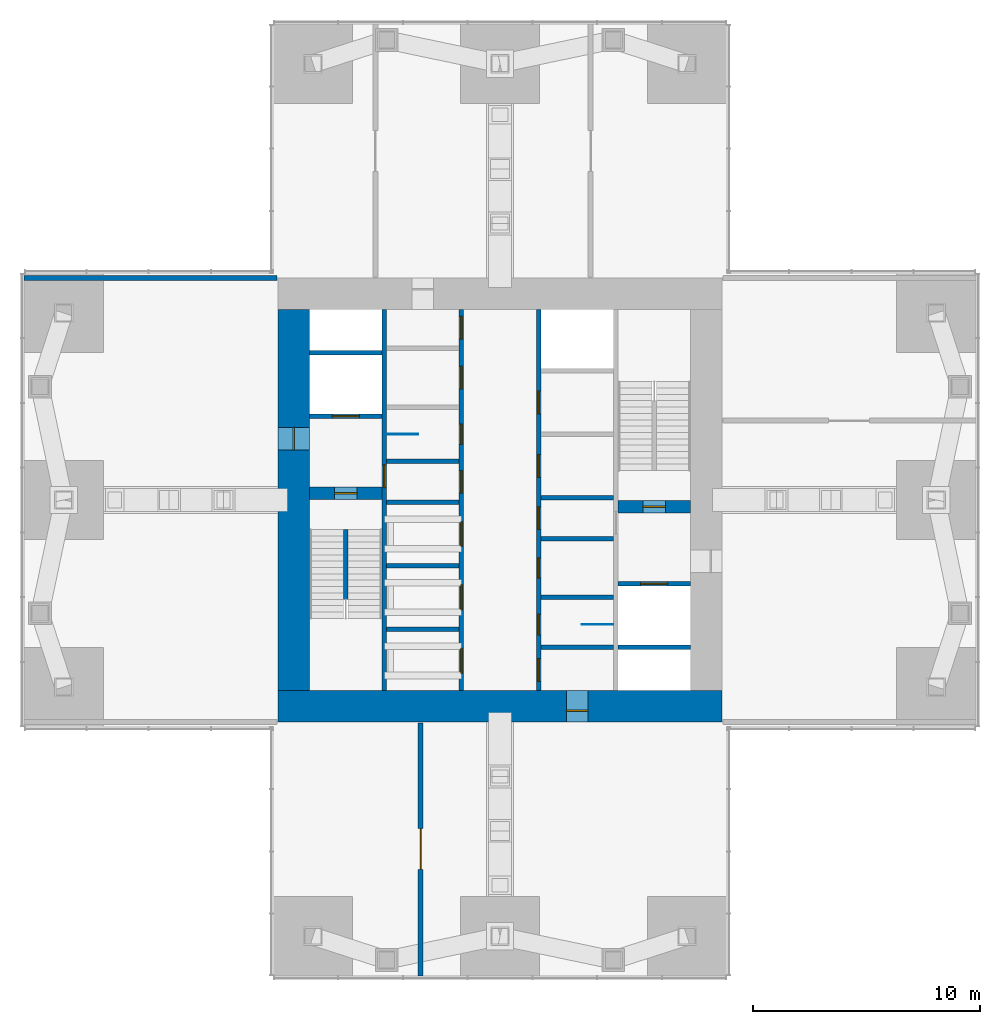
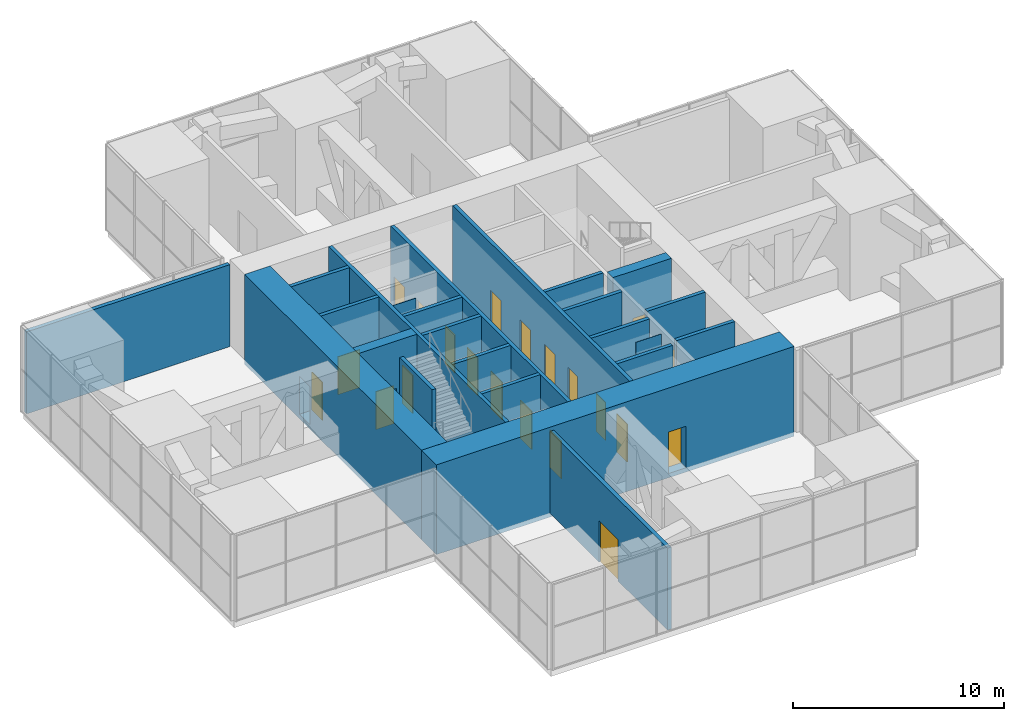
# One storey, part 10 of 12: 24 walls, 21 doors, 21 openings.
"""IFC4 building model written with IfcOpenShell, lengths in metres."""

from ifc_helpers import new_model, si_unit, direction, frame, frame_2d, origin, place, context, subcontext, project, spatial, rectangle, extrude, material, layer, layer_set, type_object, element, fill, save


model = new_model("IFC4")

# Units and contexts
model_context = context("Model", 3, precision=1e-05, world=origin(), true_north=direction((0.0, 1.0)))
body_context = subcontext(model_context, "Body", "Model", "MODEL_VIEW")
ifc_project = project(units=[si_unit("LENGTHUNIT", "METRE"), si_unit("AREAUNIT", "SQUARE_METRE"), si_unit("VOLUMEUNIT", "CUBIC_METRE"), si_unit("PLANEANGLEUNIT", "RADIAN"), si_unit("MASSUNIT", "GRAM", prefix="KILO")], contexts=[model_context])

# Site, building, storey
site_placement = place(None, origin())
site = spatial("IfcSite", under=ifc_project, at=site_placement, CompositionType="ELEMENT")
building_placement = place(site_placement, origin())
building = spatial("IfcBuilding", under=site, at=building_placement, Name="Svetlomir Tower", CompositionType="ELEMENT")
storey_placement = place(building_placement, frame((0.0, 0.0, 234.5)))
storey = spatial("IfcBuildingStorey", under=building, at=storey_placement, Name="L56", CompositionType="ELEMENT", Elevation=234.5)

# Walls
ifc_material_1 = material(Name="Gypsum board on twin steel studs", Category="steel")
ifc_layer_1 = layer(ifc_material_1, 0.199951171875)
ifc_layer_set_1 = layer_set([ifc_layer_1], Name="Gypsum board on twin steel studs")
wall_type_1 = type_object("IfcWallType", Name="ACOUSTIC PARTITION 200", PredefinedType="PARTITIONING", material=ifc_layer_set_1)
wall_1_placement = place(storey_placement, frame((22.800048828125, 14.5, 0.0), z_axis=(0.0, 0.0, 1.0), x_axis=(1.0, 0.0, 0.0)))
element("IfcWall", 1, at=wall_1_placement, inside=storey, type_object=wall_type_1, Name="Core south corridor wall L56", PredefinedType="PARTITIONING", context=body_context, shape_type="SweptSolid", body=[
    extrude(rectangle(XDim=3.199951171875, YDim=0.199951171875, at=frame_2d((1.60009765625, 0.0))), origin(), (0.0, 0.0, 1.0), 4.75),
])
ifc_material_2 = material(Name="Dense concrete blockwork", Category="masonry")
ifc_layer_2 = layer(ifc_material_2, 0.215087890625)
ifc_layer_set_2 = layer_set([ifc_layer_2], Name="Dense concrete blockwork")
wall_type_2 = type_object("IfcWallType", Name="BLOCKWORK WALL 215", PredefinedType="PARTITIONING", material=ifc_layer_set_2)
wall_2_placement = place(storey_placement, frame((0.0, 30.800048828125, 0.0), z_axis=(0.0, 0.0, 1.0), x_axis=(1.0, 0.0, 0.0)))
element("IfcWall", 2, at=wall_2_placement, inside=storey, type_object=wall_type_2, Name="Refuge area wall L56", PredefinedType="PARTITIONING", context=body_context, shape_type="SweptSolid", body=[
    extrude(rectangle(XDim=11.14990234375, YDim=0.215087890625, at=frame_2d((5.574951171875, 0.0))), origin(), (0.0, 0.0, 1.0), 4.75),
])

# Wall, opening, door
wall_3_placement = place(storey_placement, frame((17.5, 0.0, 0.0), z_axis=(0.0, 0.0, 1.0), x_axis=(0.0, 1.0, 0.0)))
wall_3 = element("IfcWall", 3, at=wall_3_placement, inside=storey, type_object=wall_type_2, Name="Partition L56", PredefinedType="PARTITIONING", context=body_context, shape_type="SweptSolid", body=[
    extrude(rectangle(XDim=11.14990234375, YDim=0.215087890625, at=frame_2d((5.574951171875, 0.0))), origin(), (0.0, 0.0, 1.0), 4.75),
])
opening_1_placement = place(wall_3_placement, frame((4.699951171875, 0.0, 0.0)))
opening_1 = element("IfcOpeningElement", 4, at=opening_1_placement, cuts=wall_3, Name="Opening DP", PredefinedType="OPENING", context=body_context, shape_type="SweptSolid", body=[
    extrude(rectangle(XDim=1.800048828125, YDim=2.39990234375, at=frame_2d((0.89990234375, 1.199951171875))), frame((0.0, 0.11767578125, 0.0), z_axis=(0.0, -1.0, 0.0), x_axis=(1.0, 0.0, 0.0)), (0.0, 0.0, 1.0), 0.235107421875),
])
ifc_material_3 = material(Name="Steel fire door", Category="steel")
door_type_1 = type_object("IfcDoorType", Name="PLANT ROOM DOOR DP 1800x2400", OperationType="DOUBLE_DOOR_SINGLE_SWING", PredefinedType="DOOR", material=ifc_material_3)
door_1_placement = place(opening_1_placement, origin())
door_1 = element("IfcDoor", 5, at=door_1_placement, inside=storey, type_object=door_type_1, Name="Plant room - air handling west door L56", OperationType="DOUBLE_DOOR_SINGLE_SWING", OverallHeight=2.39990234375, OverallWidth=1.800048828125, PredefinedType="DOOR", context=body_context, shape_type="SweptSolid", body=[
    extrude(rectangle(XDim=1.800048828125, YDim=2.39990234375, at=frame_2d((0.89990234375, 1.199951171875))), frame((0.0, 0.02490234375, 0.0), z_axis=(0.0, -1.0, 0.0), x_axis=(1.0, 0.0, 0.0)), (0.0, 0.0, 1.0), 0.050048828125),
])
fill(opening_1, door_1)

ifc_material_4 = material(Name="Concrete C60/75", Category="concrete")
ifc_layer_3 = layer(ifc_material_4, 0.199951171875)
ifc_layer_set_3 = layer_set([ifc_layer_3], Name="Concrete C60/75")
wall_type_3 = type_object("IfcWallType", Name="CORE INNER WALL 200", PredefinedType="SHEAR", material=ifc_layer_set_3)
wall_4_placement = place(storey_placement, frame((15.89990234375, 12.60009765625, -0.25), z_axis=(0.0, 0.0, 1.0), x_axis=(0.0, 1.0, 0.0)))
wall_4 = element("IfcWall", 6, at=wall_4_placement, inside=storey, type_object=wall_type_3, Name="Core inner wall 15.9 L56", PredefinedType="SHEAR", context=body_context, shape_type="SweptSolid", body=[
    extrude(rectangle(XDim=16.7998046875, YDim=0.199951171875, at=frame_2d((8.39990234375, 0.0))), origin(), (0.0, 0.0, 1.0), 5.199951171875),
])
opening_2_placement = place(wall_4_placement, frame((8.949951171875, 0.0, 0.25)))
opening_2 = element("IfcOpeningElement", 7, at=opening_2_placement, cuts=wall_4, Name="Opening DF", PredefinedType="OPENING", context=body_context, shape_type="SweptSolid", body=[
    extrude(rectangle(XDim=1.0, YDim=2.199951171875, at=frame_2d((0.5, 1.10009765625))), frame((0.0, 0.10986328125, 0.0), z_axis=(0.0, -1.0, 0.0), x_axis=(1.0, 0.0, 0.0)), (0.0, 0.0, 1.0), 0.219970703125),
])
ifc_material_5 = material(Name="Steel fire door", Category="steel")
door_type_2 = type_object("IfcDoorType", Name="DOOR DF 1000x2200", OperationType="SINGLE_SWING_LEFT", PredefinedType="DOOR", material=ifc_material_5)
door_2_placement = place(opening_2_placement, origin())
door_2 = element("IfcDoor", 8, at=door_2_placement, inside=storey, type_object=door_type_2, Name="Core corridor west door L56", OperationType="SINGLE_SWING_LEFT", OverallHeight=2.199951171875, OverallWidth=1.0, PredefinedType="DOOR", context=body_context, shape_type="SweptSolid", body=[
    extrude(rectangle(XDim=1.0, YDim=2.199951171875, at=frame_2d((0.5, 1.10009765625))), frame((0.0, 0.02490234375, 0.0), z_axis=(0.0, -1.0, 0.0), x_axis=(1.0, 0.0, 0.0)), (0.0, 0.0, 1.0), 0.050048828125),
])
fill(opening_2, door_2)

# Wall, openings, doors
wall_5_placement = place(storey_placement, frame((19.300048828125, 12.60009765625, -0.25), z_axis=(0.0, 0.0, 1.0), x_axis=(0.0, 1.0, 0.0)))
wall_5 = element("IfcWall", 9, at=wall_5_placement, inside=storey, type_object=wall_type_3, Name="Core inner wall 19.3 L56", PredefinedType="SHEAR", context=body_context, shape_type="SweptSolid", body=[
    extrude(rectangle(XDim=16.7998046875, YDim=0.199951171875, at=frame_2d((8.39990234375, 0.0))), origin(), (0.0, 0.0, 1.0), 5.199951171875),
])
opening_3_placement = place(wall_5_placement, frame((8.699951171875, 0.0, 0.25)))
opening_3 = element("IfcOpeningElement", 10, at=opening_3_placement, cuts=wall_5, Name="Opening DC", PredefinedType="OPENING", context=body_context, shape_type="SweptSolid", body=[
    extrude(rectangle(XDim=1.0, YDim=2.199951171875, at=frame_2d((0.5, 1.10009765625))), frame((0.0, 0.10986328125, 0.0), z_axis=(0.0, -1.0, 0.0), x_axis=(1.0, 0.0, 0.0)), (0.0, 0.0, 1.0), 0.219970703125),
])
opening_4_placement = place(wall_5_placement, frame((10.85009765625, 0.0, 0.25)))
opening_4 = element("IfcOpeningElement", 11, at=opening_4_placement, cuts=wall_5, Name="Opening DW", PredefinedType="OPENING", context=body_context, shape_type="SweptSolid", body=[
    extrude(rectangle(XDim=0.89990234375, YDim=2.199951171875, at=frame_2d((0.449951171875, 1.10009765625))), frame((0.0, 0.10986328125, 0.0), z_axis=(0.0, -1.0, 0.0), x_axis=(1.0, 0.0, 0.0)), (0.0, 0.0, 1.0), 0.219970703125),
])
opening_5_placement = place(wall_5_placement, frame((13.300048828125, 0.0, 0.25)))
opening_5 = element("IfcOpeningElement", 12, at=opening_5_placement, cuts=wall_5, Name="Opening DC", PredefinedType="OPENING", context=body_context, shape_type="SweptSolid", body=[
    extrude(rectangle(XDim=1.0, YDim=2.199951171875, at=frame_2d((0.5, 1.10009765625))), frame((0.0, 0.10986328125, 0.0), z_axis=(0.0, -1.0, 0.0), x_axis=(1.0, 0.0, 0.0)), (0.0, 0.0, 1.0), 0.219970703125),
])
opening_6_placement = place(wall_5_placement, frame((15.5, 0.0, 0.25)))
opening_6 = element("IfcOpeningElement", 13, at=opening_6_placement, cuts=wall_5, Name="Opening DC", PredefinedType="OPENING", context=body_context, shape_type="SweptSolid", body=[
    extrude(rectangle(XDim=1.0, YDim=2.199951171875, at=frame_2d((0.5, 1.10009765625))), frame((0.0, 0.10986328125, 0.0), z_axis=(0.0, -1.0, 0.0), x_axis=(1.0, 0.0, 0.0)), (0.0, 0.0, 1.0), 0.219970703125),
])
opening_7_placement = place(wall_5_placement, frame((0.75, 0.0, 0.25)))
opening_7 = element("IfcOpeningElement", 14, at=opening_7_placement, cuts=wall_5, Name="Opening LD", PredefinedType="OPENING", context=body_context, shape_type="SweptSolid", body=[
    extrude(rectangle(XDim=1.10009765625, YDim=2.199951171875, at=frame_2d((0.550048828125, 1.10009765625))), frame((0.0, 0.10986328125, 0.0), z_axis=(0.0, -1.0, 0.0), x_axis=(1.0, 0.0, 0.0)), (0.0, 0.0, 1.0), 0.219970703125),
])
opening_8_placement = place(wall_5_placement, frame((3.550048828125, 0.0, 0.25)))
opening_8 = element("IfcOpeningElement", 15, at=opening_8_placement, cuts=wall_5, Name="Opening LD", PredefinedType="OPENING", context=body_context, shape_type="SweptSolid", body=[
    extrude(rectangle(XDim=1.10009765625, YDim=2.199951171875, at=frame_2d((0.550048828125, 1.10009765625))), frame((0.0, 0.10986328125, 0.0), z_axis=(0.0, -1.0, 0.0), x_axis=(1.0, 0.0, 0.0)), (0.0, 0.0, 1.0), 0.219970703125),
])
opening_9_placement = place(wall_5_placement, frame((6.35009765625, 0.0, 0.25)))
opening_9 = element("IfcOpeningElement", 16, at=opening_9_placement, cuts=wall_5, Name="Opening LD", PredefinedType="OPENING", context=body_context, shape_type="SweptSolid", body=[
    extrude(rectangle(XDim=1.10009765625, YDim=2.199951171875, at=frame_2d((0.550048828125, 1.10009765625))), frame((0.0, 0.10986328125, 0.0), z_axis=(0.0, -1.0, 0.0), x_axis=(1.0, 0.0, 0.0)), (0.0, 0.0, 1.0), 0.219970703125),
])
ifc_material_6 = material(Name="Timber fire door", Category="wood")
door_type_3 = type_object("IfcDoorType", Name="DOOR DC 1000x2200", OperationType="SINGLE_SWING_LEFT", PredefinedType="DOOR", material=ifc_material_6)
door_3_placement = place(opening_3_placement, origin())
door_3 = element("IfcDoor", 17, at=door_3_placement, inside=storey, type_object=door_type_3, Name="Core corridor west lobby door L56", OperationType="SINGLE_SWING_RIGHT", OverallHeight=2.199951171875, OverallWidth=1.0, PredefinedType="DOOR", context=body_context, shape_type="SweptSolid", body=[
    extrude(rectangle(XDim=1.0, YDim=2.199951171875, at=frame_2d((0.5, 1.10009765625))), frame((0.0, 0.02490234375, 0.0), z_axis=(0.0, -1.0, 0.0), x_axis=(1.0, 0.0, 0.0)), (0.0, 0.0, 1.0), 0.050048828125),
])
fill(opening_3, door_3)
door_4_placement = place(opening_5_placement, origin())
door_4 = element("IfcDoor", 18, at=door_4_placement, inside=storey, type_object=door_type_3, Name="Accessible WC door L56", OperationType="SINGLE_SWING_LEFT", OverallHeight=2.199951171875, OverallWidth=1.0, PredefinedType="DOOR", context=body_context, shape_type="SweptSolid", body=[
    extrude(rectangle(XDim=1.0, YDim=2.199951171875, at=frame_2d((0.5, 1.10009765625))), frame((0.0, 0.02490234375, 0.0), z_axis=(0.0, -1.0, 0.0), x_axis=(1.0, 0.0, 0.0)), (0.0, 0.0, 1.0), 0.050048828125),
])
fill(opening_5, door_4)
door_5_placement = place(opening_6_placement, origin())
door_5 = element("IfcDoor", 19, at=door_5_placement, inside=storey, type_object=door_type_3, Name="Core north corridor lobby door L56", OperationType="SINGLE_SWING_RIGHT", OverallHeight=2.199951171875, OverallWidth=1.0, PredefinedType="DOOR", context=body_context, shape_type="SweptSolid", body=[
    extrude(rectangle(XDim=1.0, YDim=2.199951171875, at=frame_2d((0.5, 1.10009765625))), frame((0.0, 0.02490234375, 0.0), z_axis=(0.0, -1.0, 0.0), x_axis=(1.0, 0.0, 0.0)), (0.0, 0.0, 1.0), 0.050048828125),
])
fill(opening_6, door_5)
ifc_material_7 = material(Name="Timber fire door", Category="wood")
door_type_4 = type_object("IfcDoorType", Name="DOOR DW 900x2200", OperationType="SINGLE_SWING_LEFT", PredefinedType="DOOR", material=ifc_material_7)
door_6_placement = place(opening_4_placement, origin())
door_6 = element("IfcDoor", 20, at=door_6_placement, inside=storey, type_object=door_type_4, Name="Female WC door L56", OperationType="SINGLE_SWING_RIGHT", OverallHeight=2.199951171875, OverallWidth=0.89990234375, PredefinedType="DOOR", context=body_context, shape_type="SweptSolid", body=[
    extrude(rectangle(XDim=0.89990234375, YDim=2.199951171875, at=frame_2d((0.449951171875, 1.10009765625))), frame((0.0, 0.02490234375, 0.0), z_axis=(0.0, -1.0, 0.0), x_axis=(1.0, 0.0, 0.0)), (0.0, 0.0, 1.0), 0.050048828125),
])
fill(opening_4, door_6)
ifc_material_8 = material(Name="Stainless steel landing door", Category="steel")
door_type_5 = type_object("IfcDoorType", Name="LIFT LANDING DOOR LD 1100x2200", OperationType="DOUBLE_DOOR_SLIDING", PredefinedType="DOOR", material=ifc_material_8)
door_7_placement = place(opening_7_placement, origin())
door_7 = element("IfcDoor", 21, at=door_7_placement, inside=storey, type_object=door_type_5, Name="Landing door lift LC1 L56", OperationType="DOUBLE_DOOR_SLIDING", OverallHeight=2.199951171875, OverallWidth=1.10009765625, PredefinedType="DOOR", context=body_context, shape_type="SweptSolid", body=[
    extrude(rectangle(XDim=1.10009765625, YDim=2.199951171875, at=frame_2d((0.550048828125, 1.10009765625))), frame((0.0, 0.02490234375, 0.0), z_axis=(0.0, -1.0, 0.0), x_axis=(1.0, 0.0, 0.0)), (0.0, 0.0, 1.0), 0.050048828125),
])
fill(opening_7, door_7)
door_8_placement = place(opening_8_placement, origin())
door_8 = element("IfcDoor", 22, at=door_8_placement, inside=storey, type_object=door_type_5, Name="Landing door lift LC2 L56", OperationType="DOUBLE_DOOR_SLIDING", OverallHeight=2.199951171875, OverallWidth=1.10009765625, PredefinedType="DOOR", context=body_context, shape_type="SweptSolid", body=[
    extrude(rectangle(XDim=1.10009765625, YDim=2.199951171875, at=frame_2d((0.550048828125, 1.10009765625))), frame((0.0, 0.02490234375, 0.0), z_axis=(0.0, -1.0, 0.0), x_axis=(1.0, 0.0, 0.0)), (0.0, 0.0, 1.0), 0.050048828125),
])
fill(opening_8, door_8)
door_9_placement = place(opening_9_placement, origin())
door_9 = element("IfcDoor", 23, at=door_9_placement, inside=storey, type_object=door_type_5, Name="Landing door lift LC3 L56", OperationType="DOUBLE_DOOR_SLIDING", OverallHeight=2.199951171875, OverallWidth=1.10009765625, PredefinedType="DOOR", context=body_context, shape_type="SweptSolid", body=[
    extrude(rectangle(XDim=1.10009765625, YDim=2.199951171875, at=frame_2d((0.550048828125, 1.10009765625))), frame((0.0, 0.02490234375, 0.0), z_axis=(0.0, -1.0, 0.0), x_axis=(1.0, 0.0, 0.0)), (0.0, 0.0, 1.0), 0.050048828125),
])
fill(opening_9, door_9)

wall_6_placement = place(storey_placement, frame((22.699951171875, 12.60009765625, -0.25), z_axis=(0.0, 0.0, 1.0), x_axis=(0.0, 1.0, 0.0)))
wall_6 = element("IfcWall", 24, at=wall_6_placement, inside=storey, type_object=wall_type_3, Name="Core inner wall 22.7 L56", PredefinedType="SHEAR", context=body_context, shape_type="SweptSolid", body=[
    extrude(rectangle(XDim=16.7998046875, YDim=0.199951171875, at=frame_2d((8.39990234375, 0.0))), origin(), (0.0, 0.0, 1.0), 5.199951171875),
])
opening_10_placement = place(wall_6_placement, frame((0.39990234375, 0.0, 0.25)))
opening_10 = element("IfcOpeningElement", 25, at=opening_10_placement, cuts=wall_6, Name="Opening DC", PredefinedType="OPENING", context=body_context, shape_type="SweptSolid", body=[
    extrude(rectangle(XDim=1.0, YDim=2.199951171875, at=frame_2d((0.5, 1.10009765625))), frame((0.0, 0.10986328125, 0.0), z_axis=(0.0, -1.0, 0.0), x_axis=(1.0, 0.0, 0.0)), (0.0, 0.0, 1.0), 0.219970703125),
])
opening_11_placement = place(wall_6_placement, frame((7.10009765625, 0.0, 0.25)))
opening_11 = element("IfcOpeningElement", 26, at=opening_11_placement, cuts=wall_6, Name="Opening DC", PredefinedType="OPENING", context=body_context, shape_type="SweptSolid", body=[
    extrude(rectangle(XDim=1.0, YDim=2.199951171875, at=frame_2d((0.5, 1.10009765625))), frame((0.0, 0.10986328125, 0.0), z_axis=(0.0, -1.0, 0.0), x_axis=(1.0, 0.0, 0.0)), (0.0, 0.0, 1.0), 0.219970703125),
])
opening_12_placement = place(wall_6_placement, frame((2.449951171875, 0.0, 0.25)))
opening_12 = element("IfcOpeningElement", 27, at=opening_12_placement, cuts=wall_6, Name="Opening DW", PredefinedType="OPENING", context=body_context, shape_type="SweptSolid", body=[
    extrude(rectangle(XDim=0.89990234375, YDim=2.199951171875, at=frame_2d((0.449951171875, 1.10009765625))), frame((0.0, 0.10986328125, 0.0), z_axis=(0.0, -1.0, 0.0), x_axis=(1.0, 0.0, 0.0)), (0.0, 0.0, 1.0), 0.219970703125),
])
opening_13_placement = place(wall_6_placement, frame((4.949951171875, 0.0, 0.25)))
opening_13 = element("IfcOpeningElement", 28, at=opening_13_placement, cuts=wall_6, Name="Opening DW", PredefinedType="OPENING", context=body_context, shape_type="SweptSolid", body=[
    extrude(rectangle(XDim=0.89990234375, YDim=2.199951171875, at=frame_2d((0.449951171875, 1.10009765625))), frame((0.0, 0.10986328125, 0.0), z_axis=(0.0, -1.0, 0.0), x_axis=(1.0, 0.0, 0.0)), (0.0, 0.0, 1.0), 0.219970703125),
])
opening_14_placement = place(wall_6_placement, frame((9.39990234375, 0.0, 0.25)))
opening_14 = element("IfcOpeningElement", 29, at=opening_14_placement, cuts=wall_6, Name="Opening DC", PredefinedType="OPENING", context=body_context, shape_type="SweptSolid", body=[
    extrude(rectangle(XDim=1.0, YDim=2.199951171875, at=frame_2d((0.5, 1.10009765625))), frame((0.0, 0.10986328125, 0.0), z_axis=(0.0, -1.0, 0.0), x_axis=(1.0, 0.0, 0.0)), (0.0, 0.0, 1.0), 0.219970703125),
])
opening_15_placement = place(wall_6_placement, frame((12.199951171875, 0.0, 0.25)))
opening_15 = element("IfcOpeningElement", 30, at=opening_15_placement, cuts=wall_6, Name="Opening DC", PredefinedType="OPENING", context=body_context, shape_type="SweptSolid", body=[
    extrude(rectangle(XDim=1.0, YDim=2.199951171875, at=frame_2d((0.5, 1.10009765625))), frame((0.0, 0.10986328125, 0.0), z_axis=(0.0, -1.0, 0.0), x_axis=(1.0, 0.0, 0.0)), (0.0, 0.0, 1.0), 0.219970703125),
])
door_10_placement = place(opening_10_placement, origin())
door_10 = element("IfcDoor", 31, at=door_10_placement, inside=storey, type_object=door_type_3, Name="Core south corridor lobby door L56", OperationType="SINGLE_SWING_LEFT", OverallHeight=2.199951171875, OverallWidth=1.0, PredefinedType="DOOR", context=body_context, shape_type="SweptSolid", body=[
    extrude(rectangle(XDim=1.0, YDim=2.199951171875, at=frame_2d((0.5, 1.10009765625))), frame((0.0, 0.02490234375, 0.0), z_axis=(0.0, -1.0, 0.0), x_axis=(1.0, 0.0, 0.0)), (0.0, 0.0, 1.0), 0.050048828125),
])
fill(opening_10, door_10)
door_11_placement = place(opening_11_placement, origin())
door_11 = element("IfcDoor", 32, at=door_11_placement, inside=storey, type_object=door_type_3, Name="Core corridor east lobby door L56", OperationType="SINGLE_SWING_LEFT", OverallHeight=2.199951171875, OverallWidth=1.0, PredefinedType="DOOR", context=body_context, shape_type="SweptSolid", body=[
    extrude(rectangle(XDim=1.0, YDim=2.199951171875, at=frame_2d((0.5, 1.10009765625))), frame((0.0, 0.02490234375, 0.0), z_axis=(0.0, -1.0, 0.0), x_axis=(1.0, 0.0, 0.0)), (0.0, 0.0, 1.0), 0.050048828125),
])
fill(opening_11, door_11)
door_12_placement = place(opening_14_placement, origin())
door_12 = element("IfcDoor", 33, at=door_12_placement, inside=storey, type_object=door_type_3, Name="Converted shaft BANK-E1 room door L56", OperationType="SINGLE_SWING_LEFT", OverallHeight=2.199951171875, OverallWidth=1.0, PredefinedType="DOOR", context=body_context, shape_type="SweptSolid", body=[
    extrude(rectangle(XDim=1.0, YDim=2.199951171875, at=frame_2d((0.5, 1.10009765625))), frame((0.0, 0.02490234375, 0.0), z_axis=(0.0, -1.0, 0.0), x_axis=(1.0, 0.0, 0.0)), (0.0, 0.0, 1.0), 0.050048828125),
])
fill(opening_14, door_12)
door_13_placement = place(opening_15_placement, origin())
door_13 = element("IfcDoor", 34, at=door_13_placement, inside=storey, type_object=door_type_3, Name="Converted shaft BANK-E2 room door L56", OperationType="SINGLE_SWING_RIGHT", OverallHeight=2.199951171875, OverallWidth=1.0, PredefinedType="DOOR", context=body_context, shape_type="SweptSolid", body=[
    extrude(rectangle(XDim=1.0, YDim=2.199951171875, at=frame_2d((0.5, 1.10009765625))), frame((0.0, 0.02490234375, 0.0), z_axis=(0.0, -1.0, 0.0), x_axis=(1.0, 0.0, 0.0)), (0.0, 0.0, 1.0), 0.050048828125),
])
fill(opening_15, door_13)
door_14_placement = place(opening_12_placement, origin())
door_14 = element("IfcDoor", 35, at=door_14_placement, inside=storey, type_object=door_type_4, Name="Male WC door L56", OperationType="SINGLE_SWING_LEFT", OverallHeight=2.199951171875, OverallWidth=0.89990234375, PredefinedType="DOOR", context=body_context, shape_type="SweptSolid", body=[
    extrude(rectangle(XDim=0.89990234375, YDim=2.199951171875, at=frame_2d((0.449951171875, 1.10009765625))), frame((0.0, 0.02490234375, 0.0), z_axis=(0.0, -1.0, 0.0), x_axis=(1.0, 0.0, 0.0)), (0.0, 0.0, 1.0), 0.050048828125),
])
fill(opening_12, door_14)
door_15_placement = place(opening_13_placement, origin())
door_15 = element("IfcDoor", 36, at=door_15_placement, inside=storey, type_object=door_type_4, Name="Comms room door L56", OperationType="SINGLE_SWING_RIGHT", OverallHeight=2.199951171875, OverallWidth=0.89990234375, PredefinedType="DOOR", context=body_context, shape_type="SweptSolid", body=[
    extrude(rectangle(XDim=0.89990234375, YDim=2.199951171875, at=frame_2d((0.449951171875, 1.10009765625))), frame((0.0, 0.02490234375, 0.0), z_axis=(0.0, -1.0, 0.0), x_axis=(1.0, 0.0, 0.0)), (0.0, 0.0, 1.0), 0.050048828125),
])
fill(opening_13, door_15)

# Wall, opening, door
wall_7_placement = place(storey_placement, frame((12.60009765625, 24.699951171875, -0.25), z_axis=(0.0, 0.0, 1.0), x_axis=(1.0, 0.0, 0.0)))
wall_7 = element("IfcWall", 37, at=wall_7_placement, inside=storey, type_object=wall_type_3, Name="Core inner wall 12.6-15.8/24.7 L56", PredefinedType="SHEAR", context=body_context, shape_type="SweptSolid", body=[
    extrude(rectangle(XDim=3.199951171875, YDim=0.199951171875, at=frame_2d((1.60009765625, 0.0))), origin(), (0.0, 0.0, 1.0), 5.199951171875),
])
opening_16_placement = place(wall_7_placement, frame((1.0, 0.0, 0.25)))
opening_16 = element("IfcOpeningElement", 38, at=opening_16_placement, cuts=wall_7, Name="Opening LD3", PredefinedType="OPENING", context=body_context, shape_type="SweptSolid", body=[
    extrude(rectangle(XDim=1.199951171875, YDim=2.199951171875, at=frame_2d((0.60009765625, 1.10009765625))), frame((0.0, 0.10986328125, 0.0), z_axis=(0.0, -1.0, 0.0), x_axis=(1.0, 0.0, 0.0)), (0.0, 0.0, 1.0), 0.219970703125),
])
ifc_material_9 = material(Name="Stainless steel fire-rated landing door", Category="steel")
door_type_6 = type_object("IfcDoorType", Name="FIREFIGHTING LIFT LANDING DOOR LD3 1200x2200", OperationType="DOUBLE_DOOR_SLIDING", PredefinedType="DOOR", material=ifc_material_9)
door_16_placement = place(opening_16_placement, origin())
door_16 = element("IfcDoor", 39, at=door_16_placement, inside=storey, type_object=door_type_6, Name="Landing door lift FL1 L56", OperationType="DOUBLE_DOOR_SLIDING", OverallHeight=2.199951171875, OverallWidth=1.199951171875, PredefinedType="DOOR", context=body_context, shape_type="SweptSolid", body=[
    extrude(rectangle(XDim=1.199951171875, YDim=2.199951171875, at=frame_2d((0.60009765625, 1.10009765625))), frame((0.0, 0.02490234375, 0.0), z_axis=(0.0, -1.0, 0.0), x_axis=(1.0, 0.0, 0.0)), (0.0, 0.0, 1.0), 0.050048828125),
])
fill(opening_16, door_16)

# Walls
for number, where, z_axis, x_axis, name in (
    (40, (12.60009765625, 27.5, -0.25), (0.0, 0.0, 1.0), (1.0, 0.0, 0.0), "Core inner wall 12.6-15.8/27.5 L56"),
    (41, (16.0, 15.300048828125, -0.25), (0.0, 0.0, 1.0), (1.0, 0.0, 0.0), "Core inner wall 16-19.2/15.3 L56"),
    (42, (16.0, 18.10009765625, -0.25), (0.0, 0.0, 1.0), (1.0, 0.0, 0.0), "Core inner wall 16-19.2/18.1 L56"),
    (43, (16.0, 20.89990234375, -0.25), (0.0, 0.0, 1.0), (1.0, 0.0, 0.0), "Core inner wall 16-19.2/20.9 L56"),
    (44, (16.0, 22.699951171875, -0.25), (0.0, 0.0, 1.0), (1.0, 0.0, 0.0), "Core inner wall 16-19.2/22.7 L56"),
    (45, (22.800048828125, 16.699951171875, -0.25), (0.0, 0.0, 1.0), (1.0, 0.0, 0.0), "Core inner wall 22.8-26/16.7 L56"),
    (46, (22.800048828125, 19.300048828125, -0.25), (0.0, 0.0, 1.0), (1.0, 0.0, 0.0), "Core inner wall 22.8-26/19.3 L56"),
    (47, (22.800048828125, 21.10009765625, -0.25), (0.0, 0.0, 1.0), (1.0, 0.0, 0.0), "Core inner wall 22.8-26/21.1 L56"),
    (48, (26.199951171875, 14.5, -0.25), (0.0, 0.0, 1.0), (1.0, 0.0, 0.0), "Core inner wall 26.2-29.4/14.5 L56"),
):
    element("IfcWall", number, at=place(storey_placement, frame(where, z_axis=z_axis, x_axis=x_axis)), inside=storey, type_object=wall_type_3, Name=name, PredefinedType="SHEAR", context=body_context, shape_type="SweptSolid", body=[
        extrude(rectangle(XDim=3.199951171875, YDim=0.199951171875, at=frame_2d((1.60009765625, 0.0))), origin(), (0.0, 0.0, 1.0), 5.199951171875),
    ])

# Wall, opening, door
wall_8_placement = place(storey_placement, frame((26.199951171875, 17.300048828125, -0.25), z_axis=(0.0, 0.0, 1.0), x_axis=(1.0, 0.0, 0.0)))
wall_8 = element("IfcWall", 49, at=wall_8_placement, inside=storey, type_object=wall_type_3, Name="Core inner wall 26.2-29.4/17.3 L56", PredefinedType="SHEAR", context=body_context, shape_type="SweptSolid", body=[
    extrude(rectangle(XDim=3.199951171875, YDim=0.199951171875, at=frame_2d((1.60009765625, 0.0))), origin(), (0.0, 0.0, 1.0), 5.199951171875),
])
opening_17_placement = place(wall_8_placement, frame((1.0, 0.0, 0.25)))
opening_17 = element("IfcOpeningElement", 50, at=opening_17_placement, cuts=wall_8, Name="Opening LD3", PredefinedType="OPENING", context=body_context, shape_type="SweptSolid", body=[
    extrude(rectangle(XDim=1.199951171875, YDim=2.199951171875, at=frame_2d((0.60009765625, 1.10009765625))), frame((0.0, 0.10986328125, 0.0), z_axis=(0.0, -1.0, 0.0), x_axis=(1.0, 0.0, 0.0)), (0.0, 0.0, 1.0), 0.219970703125),
])
door_17_placement = place(opening_17_placement, origin())
door_17 = element("IfcDoor", 51, at=door_17_placement, inside=storey, type_object=door_type_6, Name="Landing door lift FL2 L56", OperationType="DOUBLE_DOOR_SLIDING", OverallHeight=2.199951171875, OverallWidth=1.199951171875, PredefinedType="DOOR", context=body_context, shape_type="SweptSolid", body=[
    extrude(rectangle(XDim=1.199951171875, YDim=2.199951171875, at=frame_2d((0.60009765625, 1.10009765625))), frame((0.0, 0.02490234375, 0.0), z_axis=(0.0, -1.0, 0.0), x_axis=(1.0, 0.0, 0.0)), (0.0, 0.0, 1.0), 0.050048828125),
])
fill(opening_17, door_17)

ifc_material_10 = material(Name="Concrete C60/75", Category="concrete")
ifc_layer_4 = layer(ifc_material_10, 0.550048828125)
ifc_layer_set_4 = layer_set([ifc_layer_4], Name="Concrete C60/75")
wall_type_4 = type_object("IfcWallType", Name="CORE OUTRIGGER WALL 550", PredefinedType="SHEAR", material=ifc_layer_set_4)
wall_9_placement = place(storey_placement, frame((12.60009765625, 21.300048828125, -0.25), z_axis=(0.0, 0.0, 1.0), x_axis=(1.0, 0.0, 0.0)))
wall_9 = element("IfcWall", 52, at=wall_9_placement, inside=storey, type_object=wall_type_4, Name="Core outrigger wall 12.6-15.8/21.3 L56", PredefinedType="SHEAR", context=body_context, shape_type="SweptSolid", body=[
    extrude(rectangle(XDim=3.199951171875, YDim=0.550048828125, at=frame_2d((1.60009765625, 0.0))), origin(), (0.0, 0.0, 1.0), 5.199951171875),
])
opening_18_placement = place(wall_9_placement, frame((1.10009765625, 0.0, 0.25)))
opening_18 = element("IfcOpeningElement", 53, at=opening_18_placement, cuts=wall_9, Name="Opening DF", PredefinedType="OPENING", context=body_context, shape_type="SweptSolid", body=[
    extrude(rectangle(XDim=1.0, YDim=2.199951171875, at=frame_2d((0.5, 1.10009765625))), frame((0.0, 0.28515625, 0.0), z_axis=(0.0, -1.0, 0.0), x_axis=(1.0, 0.0, 0.0)), (0.0, 0.0, 1.0), 0.570068359375),
])
door_18_placement = place(opening_18_placement, origin())
door_18 = element("IfcDoor", 54, at=door_18_placement, inside=storey, type_object=door_type_2, Name="Stair S1 door L56", OperationType="SINGLE_SWING_RIGHT", OverallHeight=2.199951171875, OverallWidth=1.0, PredefinedType="DOOR", context=body_context, shape_type="SweptSolid", body=[
    extrude(rectangle(XDim=1.0, YDim=2.199951171875, at=frame_2d((0.5, 1.10009765625))), frame((0.0, 0.02490234375, 0.0), z_axis=(0.0, -1.0, 0.0), x_axis=(1.0, 0.0, 0.0)), (0.0, 0.0, 1.0), 0.050048828125),
])
fill(opening_18, door_18)

wall_10_placement = place(storey_placement, frame((26.199951171875, 20.699951171875, -0.25), z_axis=(0.0, 0.0, 1.0), x_axis=(1.0, 0.0, 0.0)))
wall_10 = element("IfcWall", 55, at=wall_10_placement, inside=storey, type_object=wall_type_4, Name="Core outrigger wall 26.2-29.4/20.7 L56", PredefinedType="SHEAR", context=body_context, shape_type="SweptSolid", body=[
    extrude(rectangle(XDim=3.199951171875, YDim=0.550048828125, at=frame_2d((1.60009765625, 0.0))), origin(), (0.0, 0.0, 1.0), 5.199951171875),
])
opening_19_placement = place(wall_10_placement, frame((1.10009765625, 0.0, 0.25)))
opening_19 = element("IfcOpeningElement", 56, at=opening_19_placement, cuts=wall_10, Name="Opening DF", PredefinedType="OPENING", context=body_context, shape_type="SweptSolid", body=[
    extrude(rectangle(XDim=1.0, YDim=2.199951171875, at=frame_2d((0.5, 1.10009765625))), frame((0.0, 0.28515625, 0.0), z_axis=(0.0, -1.0, 0.0), x_axis=(1.0, 0.0, 0.0)), (0.0, 0.0, 1.0), 0.570068359375),
])
door_19_placement = place(opening_19_placement, origin())
door_19 = element("IfcDoor", 57, at=door_19_placement, inside=storey, type_object=door_type_2, Name="Stair S2 door L56", OperationType="SINGLE_SWING_LEFT", OverallHeight=2.199951171875, OverallWidth=1.0, PredefinedType="DOOR", context=body_context, shape_type="SweptSolid", body=[
    extrude(rectangle(XDim=1.0, YDim=2.199951171875, at=frame_2d((0.5, 1.10009765625))), frame((0.0, 0.02490234375, 0.0), z_axis=(0.0, -1.0, 0.0), x_axis=(1.0, 0.0, 0.0)), (0.0, 0.0, 1.0), 0.050048828125),
])
fill(opening_19, door_19)

ifc_material_11 = material(Name="Concrete C60/75", Category="concrete")
ifc_layer_5 = layer(ifc_material_11, 1.39990234375)
ifc_layer_set_5 = layer_set([ifc_layer_5], Name="Concrete C60/75")
wall_type_5 = type_object("IfcWallType", Name="CORE WALL 1400", PredefinedType="SHEAR", material=ifc_layer_set_5)
wall_11_placement = place(storey_placement, frame((11.199951171875, 11.89990234375, -0.25), z_axis=(0.0, 0.0, 1.0), x_axis=(1.0, 0.0, 0.0)))
wall_11 = element("IfcWall", 58, at=wall_11_placement, inside=storey, type_object=wall_type_5, Name="Core wall south L56", PredefinedType="SHEAR", context=body_context, shape_type="SweptSolid", body=[
    extrude(rectangle(XDim=19.60009765625, YDim=1.39990234375, at=frame_2d((9.800048828125, 0.0))), origin(), (0.0, 0.0, 1.0), 5.199951171875),
])
opening_20_placement = place(wall_11_placement, frame((12.72509765625, 0.0, 0.25)))
opening_20 = element("IfcOpeningElement", 59, at=opening_20_placement, cuts=wall_11, Name="Opening DP2", PredefinedType="OPENING", context=body_context, shape_type="SweptSolid", body=[
    extrude(rectangle(XDim=0.949951171875, YDim=2.39990234375, at=frame_2d((0.47509765625, 1.199951171875))), frame((0.0, 0.7099609375, 0.0), z_axis=(0.0, -1.0, 0.0), x_axis=(1.0, 0.0, 0.0)), (0.0, 0.0, 1.0), 1.419921875),
])
ifc_material_12 = material(Name="Steel fire door", Category="steel")
door_type_7 = type_object("IfcDoorType", Name="PLANT ROOM DOOR DP2 950x2400", OperationType="SINGLE_SWING_LEFT", PredefinedType="DOOR", material=ifc_material_12)
door_20_placement = place(opening_20_placement, origin())
door_20 = element("IfcDoor", 60, at=door_20_placement, inside=storey, type_object=door_type_7, Name="Core south corridor plant door L56", OperationType="SINGLE_SWING_RIGHT", OverallHeight=2.39990234375, OverallWidth=0.949951171875, PredefinedType="DOOR", context=body_context, shape_type="SweptSolid", body=[
    extrude(rectangle(XDim=0.949951171875, YDim=2.39990234375, at=frame_2d((0.47509765625, 1.199951171875))), frame((0.0, -0.1748046875, 0.0), z_axis=(0.0, -1.0, 0.0), x_axis=(1.0, 0.0, 0.0)), (0.0, 0.0, 1.0), 0.050048828125),
])
fill(opening_20, door_20)

wall_12_placement = place(storey_placement, frame((11.89990234375, 12.60009765625, -0.25), z_axis=(0.0, 0.0, 1.0), x_axis=(0.0, 1.0, 0.0)))
wall_12 = element("IfcWall", 61, at=wall_12_placement, inside=storey, type_object=wall_type_5, Name="Core wall west L56", PredefinedType="SHEAR", context=body_context, shape_type="SweptSolid", body=[
    extrude(rectangle(XDim=16.7998046875, YDim=1.39990234375, at=frame_2d((8.39990234375, 0.0))), origin(), (0.0, 0.0, 1.0), 5.199951171875),
])
opening_21_placement = place(wall_12_placement, frame((10.60009765625, 0.0, 0.25)))
opening_21 = element("IfcOpeningElement", 62, at=opening_21_placement, cuts=wall_12, Name="Opening DF", PredefinedType="OPENING", context=body_context, shape_type="SweptSolid", body=[
    extrude(rectangle(XDim=1.0, YDim=2.199951171875, at=frame_2d((0.5, 1.10009765625))), frame((0.0, 0.7099609375, 0.0), z_axis=(0.0, -1.0, 0.0), x_axis=(1.0, 0.0, 0.0)), (0.0, 0.0, 1.0), 1.419921875),
])
door_21_placement = place(opening_21_placement, origin())
door_21 = element("IfcDoor", 63, at=door_21_placement, inside=storey, type_object=door_type_2, Name="Firefighting lobby west door L56", OperationType="SINGLE_SWING_RIGHT", OverallHeight=2.199951171875, OverallWidth=1.0, PredefinedType="DOOR", context=body_context, shape_type="SweptSolid", body=[
    extrude(rectangle(XDim=1.0, YDim=2.199951171875, at=frame_2d((0.5, 1.10009765625))), frame((0.0, 0.02490234375, 0.0), z_axis=(0.0, -1.0, 0.0), x_axis=(1.0, 0.0, 0.0)), (0.0, 0.0, 1.0), 0.050048828125),
])
fill(opening_21, door_21)

# Walls
ifc_material_13 = material(Name="Concrete C60/75", Category="concrete")
ifc_layer_6 = layer(ifc_material_13, 0.199951171875)
ifc_layer_set_6 = layer_set([ifc_layer_6], Name="Concrete C60/75")
wall_type_6 = type_object("IfcWallType", Name="STAIR SPINE WALL 200", PredefinedType="PARTITIONING", material=ifc_layer_set_6)
wall_13_placement = place(storey_placement, frame((14.199951171875, 16.6201171875, 0.0), z_axis=(0.0, 0.0, 1.0), x_axis=(0.0, 1.0, 0.0)))
element("IfcWall", 64, at=wall_13_placement, inside=storey, type_object=wall_type_6, Name="Stair S1 spine wall L56", PredefinedType="PARTITIONING", context=body_context, shape_type="SweptSolid", body=[
    extrude(rectangle(XDim=3.079833984375, YDim=0.199951171875, at=frame_2d((1.5400390625, 0.0))), origin(), (0.0, 0.0, 1.0), 5.0),
])
ifc_material_14 = material(Name="Compact laminate panel", Category="plastic")
ifc_layer_7 = layer(ifc_material_14, 0.030029296875)
ifc_layer_set_7 = layer_set([ifc_layer_7], Name="Compact laminate panel")
wall_type_7 = type_object("IfcWallType", Name="WC CUBICLE PARTITION 30", PredefinedType="PARTITIONING", material=ifc_layer_set_7)
for number, where, z_axis, x_axis, name in (
    (65, (24.60009765625, 15.5, 0.0), (0.0, 0.0, 1.0), (1.0, 0.0, 0.0), "WC cubicle partition L56"),
    (66, (16.0, 23.89990234375, 0.0), (0.0, 0.0, 1.0), (1.0, 0.0, 0.0), "WC cubicle partition L56"),
):
    element("IfcWall", number, at=place(storey_placement, frame(where, z_axis=z_axis, x_axis=x_axis)), inside=storey, type_object=wall_type_7, Name=name, PredefinedType="PARTITIONING", context=body_context, shape_type="SweptSolid", body=[
        extrude(rectangle(XDim=1.39990234375, YDim=0.030029296875, at=frame_2d((0.699951171875, 0.0))), origin(), (0.0, 0.0, 1.0), 4.75),
    ])

save(model, "model.ifc")
